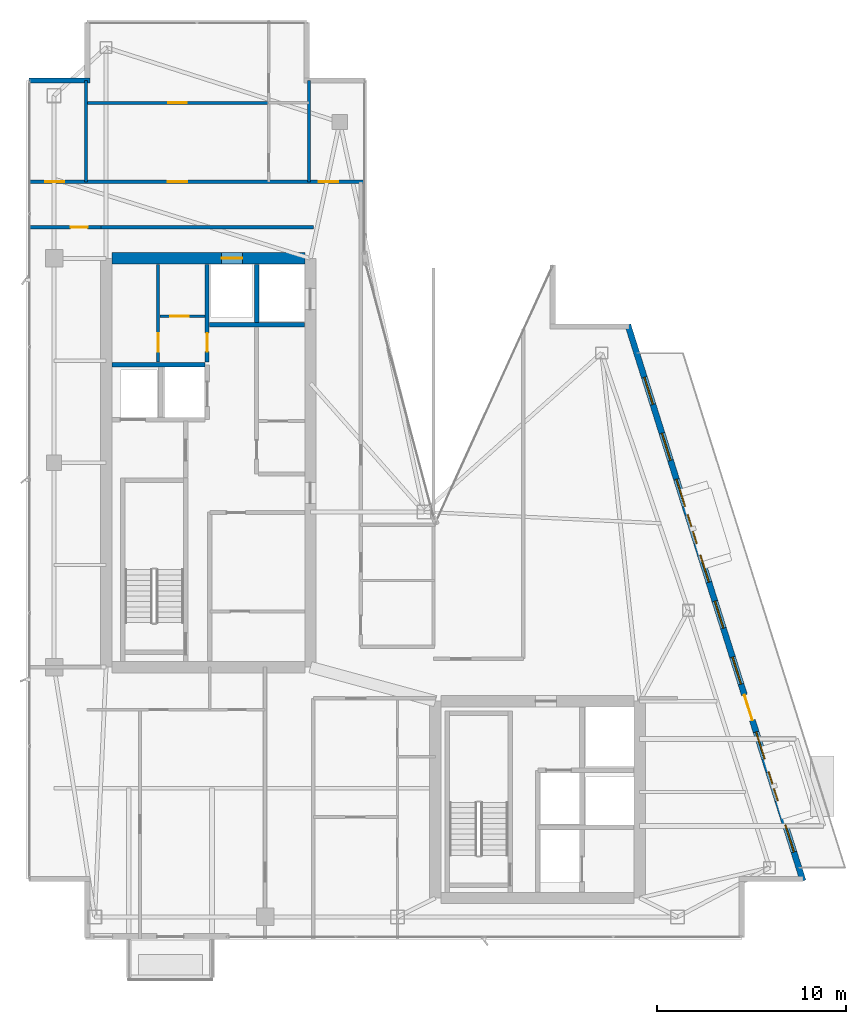
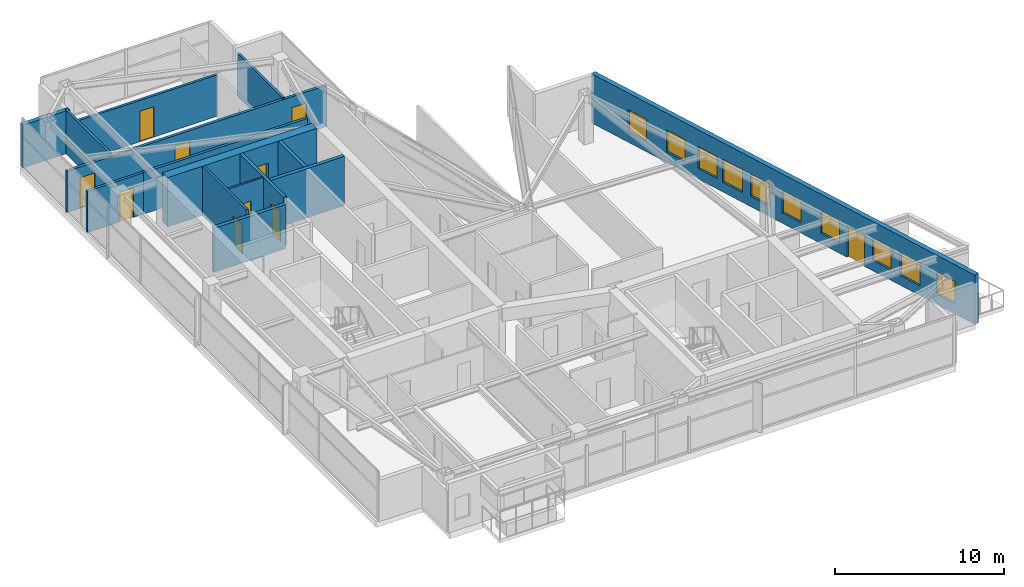
# One storey, part 24 of 27: 15 walls, 10 doors, 10 windows, 20 openings.
"""IFC4 building model written with IfcOpenShell, lengths in metres."""

from ifc_helpers import new_model, si_unit, direction, frame, frame_2d, origin, place, context, subcontext, project, spatial, rectangle, extrude, material, layer, layer_set, type_object, element, fill, save


model = new_model("IFC4")

# Units and contexts
model_context = context("Model", 3, precision=1e-05, world=origin(), true_north=direction((0.0, 1.0)))
body_context = subcontext(model_context, "Body", "Model", "MODEL_VIEW")
ifc_project = project(units=[si_unit("LENGTHUNIT", "METRE"), si_unit("AREAUNIT", "SQUARE_METRE"), si_unit("VOLUMEUNIT", "CUBIC_METRE"), si_unit("PLANEANGLEUNIT", "RADIAN"), si_unit("MASSUNIT", "GRAM", prefix="KILO")], contexts=[model_context])

# Site, building, storey
site_placement = place(None, origin())
site = spatial("IfcSite", under=ifc_project, at=site_placement, CompositionType="ELEMENT")
building_placement = place(site_placement, origin())
building = spatial("IfcBuilding", under=site, at=building_placement, Name="Calvorn Quay Hotel", CompositionType="ELEMENT")
storey_placement = place(building_placement, frame((0.0, 0.0, 287.300048828125)))
storey = spatial("IfcBuildingStorey", under=building, at=storey_placement, Name="L71", CompositionType="ELEMENT", Elevation=287.300048828125)

# Wall, opening, door
ifc_material_1 = material(Name="Concrete C45", Category="concrete")
ifc_layer_1 = layer(ifc_material_1, 0.60009765625)
ifc_layer_set_1 = layer_set([ifc_layer_1], Name="WL-CORE-600")
wall_type_1 = type_object("IfcWallType", Name="WL-CORE-600", PredefinedType="SHEAR", material=ifc_layer_set_1)
wall_1_placement = place(storey_placement, frame((4.5, 38.39990234375, 0.0), z_axis=(0.0, 0.0, 1.0), x_axis=(1.0, 0.0, 0.0)))
wall_1 = element("IfcWall", 1, at=wall_1_placement, inside=storey, type_object=wall_type_1, Name="West Core Shear Wall N (L71)", PredefinedType="SHEAR", context=body_context, shape_type="SweptSolid", body=[
    extrude(rectangle(XDim=10.199951171875, YDim=0.60009765625, at=frame_2d((5.10009765625, 0.0))), origin(), (0.0, 0.0, 1.0), 3.56005859375),
])
opening_1_placement = place(wall_1_placement, frame((5.800048828125, 0.0, 0.0)))
opening_1 = element("IfcOpeningElement", 2, at=opening_1_placement, cuts=wall_1, Name="Opening LD-L71-H2", PredefinedType="OPENING", context=body_context, shape_type="SweptSolid", body=[
    extrude(rectangle(XDim=1.10009765625, YDim=2.199951171875, at=frame_2d((0.550048828125, 1.10009765625))), frame((0.0, 0.31005859375, 0.0), z_axis=(0.0, -1.0, 0.0), x_axis=(1.0, 0.0, 0.0)), (0.0, 0.0, 1.0), 0.6201171875),
])
ifc_material_2 = material(Name="Brushed Stainless Steel Sliding Lift Landing Door", Category="steel")
door_type_1 = type_object("IfcDoorType", Name="DR-LIFT-PASS-1100", OperationType="NOTDEFINED", PredefinedType="DOOR", material=ifc_material_2)
door_1_placement = place(opening_1_placement, origin())
door_1 = element("IfcDoor", 3, at=door_1_placement, inside=storey, type_object=door_type_1, Name="High-Rise Lift PL-H2 Landing Door (L71)", OperationType="DOUBLE_DOOR_SLIDING", OverallHeight=2.199951171875, OverallWidth=1.10009765625, PredefinedType="DOOR", context=body_context, shape_type="SweptSolid", body=[
    extrude(rectangle(XDim=1.10009765625, YDim=2.199951171875, at=frame_2d((0.550048828125, 1.10009765625))), frame((0.0, 0.02490234375, 0.0), z_axis=(0.0, -1.0, 0.0), x_axis=(1.0, 0.0, 0.0)), (0.0, 0.0, 1.0), 0.050048828125),
])
fill(opening_1, door_1)

ifc_material_3 = material(Name="Acoustic Fireboard Steel-Stud Partition", Category="steel")
ifc_layer_2 = layer(ifc_material_3, 0.179931640625)
ifc_layer_set_2 = layer_set([ifc_layer_2], Name="WL-CORR-FIRE-180")
wall_type_2 = type_object("IfcWallType", Name="WL-CORR-FIRE-180", PredefinedType="PARTITIONING", material=ifc_layer_set_2)
wall_2_placement = place(storey_placement, frame((0.080078125, 40.050048828125, 0.0), z_axis=(0.0, 0.0, 1.0), x_axis=(1.0, 0.0, 0.0)))
wall_2 = element("IfcWall", 4, at=wall_2_placement, inside=storey, type_object=wall_type_2, Name="Partition Wall L71-WL-WBAY-N-DOOR", PredefinedType="PARTITIONING", context=body_context, shape_type="SweptSolid", body=[
    extrude(rectangle(XDim=3.849853515625, YDim=0.179931640625, at=frame_2d((1.9248046875, 0.0))), origin(), (0.0, 0.0, 1.0), 2.989990234375),
])
opening_2_placement = place(wall_2_placement, frame((2.25, 0.0, 0.0)))
opening_2 = element("IfcOpeningElement", 5, at=opening_2_placement, cuts=wall_2, Name="Opening D-L71-WBN", PredefinedType="OPENING", context=body_context, shape_type="SweptSolid", body=[
    extrude(rectangle(XDim=0.89990234375, YDim=2.14990234375, at=frame_2d((0.449951171875, 1.074951171875))), frame((0.0, 0.099853515625, 0.0), z_axis=(0.0, -1.0, 0.0), x_axis=(1.0, 0.0, 0.0)), (0.0, 0.0, 1.0), 0.199951171875),
])
ifc_material_4 = material(Name="Moisture-Sealed Timber En-Suite Door", Category="wood")
door_type_2 = type_object("IfcDoorType", Name="DR-ENSUITE-900", OperationType="NOTDEFINED", PredefinedType="DOOR", material=ifc_material_4)
door_2_placement = place(opening_2_placement, origin())
door_2 = element("IfcDoor", 6, at=door_2_placement, inside=storey, type_object=door_type_2, Name="West North Bay Door (L71)", OperationType="SINGLE_SWING_LEFT", OverallHeight=2.14990234375, OverallWidth=0.89990234375, PredefinedType="DOOR", context=body_context, shape_type="SweptSolid", body=[
    extrude(rectangle(XDim=0.89990234375, YDim=2.14990234375, at=frame_2d((0.449951171875, 1.074951171875))), frame((0.0, 0.02490234375, 0.0), z_axis=(0.0, -1.0, 0.0), x_axis=(1.0, 0.0, 0.0)), (0.0, 0.0, 1.0), 0.050048828125),
])
fill(opening_2, door_2)

# Wall, openings, doors
wall_3_placement = place(storey_placement, frame((0.080078125, 42.449951171875, 0.0), z_axis=(0.0, 0.0, 1.0), x_axis=(1.0, 0.0, 0.0)))
wall_3 = element("IfcWall", 7, at=wall_3_placement, inside=storey, type_object=wall_type_2, Name="Partition Wall L71-WL-CORR-NW-N", PredefinedType="PARTITIONING", context=body_context, shape_type="SweptSolid", body=[
    extrude(rectangle(XDim=17.77001953125, YDim=0.179931640625, at=frame_2d((8.885009765625, 0.0))), origin(), (0.0, 0.0, 1.0), 2.989990234375),
])
opening_3_placement = place(wall_3_placement, frame((0.89990234375, 0.0, 0.0)))
opening_3 = element("IfcOpeningElement", 8, at=opening_3_placement, cuts=wall_3, Name="Opening D-L71-NWW", PredefinedType="OPENING", context=body_context, shape_type="SweptSolid", body=[
    extrude(rectangle(XDim=1.02001953125, YDim=2.199951171875, at=frame_2d((0.510009765625, 1.10009765625))), frame((0.0, 0.099853515625, 0.0), z_axis=(0.0, -1.0, 0.0), x_axis=(1.0, 0.0, 0.0)), (0.0, 0.0, 1.0), 0.199951171875),
])
opening_4_placement = place(wall_3_placement, frame((7.3798828125, 0.0, 0.0)))
opening_4 = element("IfcOpeningElement", 9, at=opening_4_placement, cuts=wall_3, Name="Opening D-L71-U03", PredefinedType="OPENING", context=body_context, shape_type="SweptSolid", body=[
    extrude(rectangle(XDim=1.02001953125, YDim=2.199951171875, at=frame_2d((0.510009765625, 1.10009765625))), frame((0.0, 0.099853515625, 0.0), z_axis=(0.0, -1.0, 0.0), x_axis=(1.0, 0.0, 0.0)), (0.0, 0.0, 1.0), 0.199951171875),
])
opening_5_placement = place(wall_3_placement, frame((15.3701171875, 0.0, 0.0)))
opening_5 = element("IfcOpeningElement", 10, at=opening_5_placement, cuts=wall_3, Name="Opening D-L71-NWE", PredefinedType="OPENING", context=body_context, shape_type="SweptSolid", body=[
    extrude(rectangle(XDim=1.02001953125, YDim=2.199951171875, at=frame_2d((0.510009765625, 1.10009765625))), frame((0.0, 0.099853515625, 0.0), z_axis=(0.0, -1.0, 0.0), x_axis=(1.0, 0.0, 0.0)), (0.0, 0.0, 1.0), 0.199951171875),
])
ifc_material_5 = material(Name="Solid-Core Walnut Veneer Hotel Fire Door")
door_type_3 = type_object("IfcDoorType", Name="DR-GUEST-ENTRY-1020", OperationType="NOTDEFINED", PredefinedType="DOOR", material=ifc_material_5)
door_3_placement = place(opening_3_placement, origin())
door_3 = element("IfcDoor", 11, at=door_3_placement, inside=storey, type_object=door_type_3, Name="West Corner Study Door (L71)", OperationType="SINGLE_SWING_LEFT", OverallHeight=2.199951171875, OverallWidth=1.02001953125, PredefinedType="DOOR", context=body_context, shape_type="SweptSolid", body=[
    extrude(rectangle(XDim=1.02001953125, YDim=2.199951171875, at=frame_2d((0.510009765625, 1.10009765625))), frame((0.0, 0.02490234375, 0.0), z_axis=(0.0, -1.0, 0.0), x_axis=(1.0, 0.0, 0.0)), (0.0, 0.0, 1.0), 0.050048828125),
])
fill(opening_3, door_3)
door_4_placement = place(opening_4_placement, origin())
door_4 = element("IfcDoor", 12, at=door_4_placement, inside=storey, type_object=door_type_3, Name="North-West Unit Door U03 (L71)", OperationType="SINGLE_SWING_RIGHT", OverallHeight=2.199951171875, OverallWidth=1.02001953125, PredefinedType="DOOR", context=body_context, shape_type="SweptSolid", body=[
    extrude(rectangle(XDim=1.02001953125, YDim=2.199951171875, at=frame_2d((0.510009765625, 1.10009765625))), frame((0.0, 0.02490234375, 0.0), z_axis=(0.0, -1.0, 0.0), x_axis=(1.0, 0.0, 0.0)), (0.0, 0.0, 1.0), 0.050048828125),
])
fill(opening_4, door_4)
door_5_placement = place(opening_5_placement, origin())
door_5 = element("IfcDoor", 13, at=door_5_placement, inside=storey, type_object=door_type_3, Name="Inner Court Study Door (L71)", OperationType="SINGLE_SWING_RIGHT", OverallHeight=2.199951171875, OverallWidth=1.02001953125, PredefinedType="DOOR", context=body_context, shape_type="SweptSolid", body=[
    extrude(rectangle(XDim=1.02001953125, YDim=2.199951171875, at=frame_2d((0.510009765625, 1.10009765625))), frame((0.0, 0.02490234375, 0.0), z_axis=(0.0, -1.0, 0.0), x_axis=(1.0, 0.0, 0.0)), (0.0, 0.0, 1.0), 0.050048828125),
])
fill(opening_5, door_5)

# Wall
wall_4_placement = place(storey_placement, frame((3.8798828125, 40.050048828125, 0.0), z_axis=(0.0, 0.0, 1.0), x_axis=(1.0, 0.0, 0.0)))
element("IfcWall", 14, at=wall_4_placement, inside=storey, type_object=wall_type_2, Name="Partition Wall L71-WL-W-SPUR-S", PredefinedType="PARTITIONING", context=body_context, shape_type="SweptSolid", body=[
    extrude(rectangle(XDim=11.27001953125, YDim=0.179931640625, at=frame_2d((5.635009765625, 0.0))), origin(), (0.0, 0.0, 1.0), 2.989990234375),
])

# Wall, opening, door
ifc_material_6 = material(Name="Moisture-Resistant Tile-Backed Partition")
ifc_layer_3 = layer(ifc_material_6, 0.125)
ifc_layer_set_3 = layer_set([ifc_layer_3], Name="WL-ENSUITE-125")
wall_type_3 = type_object("IfcWallType", Name="WL-ENSUITE-125", PredefinedType="PARTITIONING", material=ifc_layer_set_3)
wall_5_placement = place(storey_placement, frame((7.050048828125, 35.35009765625, 0.0), z_axis=(0.0, 0.0, 1.0), x_axis=(1.0, 0.0, 0.0)))
wall_5 = element("IfcWall", 15, at=wall_5_placement, inside=storey, type_object=wall_type_3, Name="Partition Wall L71-WL-CWW-K-H", PredefinedType="PARTITIONING", context=body_context, shape_type="SweptSolid", body=[
    extrude(rectangle(XDim=2.369873046875, YDim=0.125, at=frame_2d((1.18505859375, 0.0))), origin(), (0.0, 0.0, 1.0), 3.56005859375),
])
opening_6_placement = place(wall_5_placement, frame((0.550048828125, 0.0, 0.0)))
opening_6 = element("IfcOpeningElement", 16, at=opening_6_placement, cuts=wall_5, Name="Opening D-L71-CK3", PredefinedType="OPENING", context=body_context, shape_type="SweptSolid", body=[
    extrude(rectangle(XDim=0.97998046875, YDim=2.14990234375, at=frame_2d((0.489990234375, 1.074951171875))), frame((0.0, 0.072509765625, 0.0), z_axis=(0.0, -1.0, 0.0), x_axis=(1.0, 0.0, 0.0)), (0.0, 0.0, 1.0), 0.14501953125),
])
ifc_material_7 = material(Name="Painted Steel Housekeeping/Riser Fire Door", Category="steel")
door_type_4 = type_object("IfcDoorType", Name="DR-SERVICE-980", OperationType="NOTDEFINED", PredefinedType="DOOR", material=ifc_material_7)
door_6_placement = place(opening_6_placement, origin())
door_6 = element("IfcDoor", 17, at=door_6_placement, inside=storey, type_object=door_type_4, Name="Telecom Closet Door (L71)", OperationType="SINGLE_SWING_RIGHT", OverallHeight=2.14990234375, OverallWidth=0.97998046875, PredefinedType="DOOR", context=body_context, shape_type="SweptSolid", body=[
    extrude(rectangle(XDim=0.97998046875, YDim=2.14990234375, at=frame_2d((0.489990234375, 1.074951171875))), frame((0.0, 0.02490234375, 0.0), z_axis=(0.0, -1.0, 0.0), x_axis=(1.0, 0.0, 0.0)), (0.0, 0.0, 1.0), 0.050048828125),
])
fill(opening_6, door_6)

# Wall
ifc_material_8 = material(Name="Concrete C40", Category="concrete")
ifc_layer_4 = layer(ifc_material_8, 0.320068359375)
ifc_layer_set_4 = layer_set([ifc_layer_4], Name="WL-EXT-SPANDREL-320")
wall_type_4 = type_object("IfcWallType", Name="WL-EXT-SPANDREL-320", PredefinedType="SOLIDWALL", material=ifc_layer_set_4)
wall_6_placement = place(storey_placement, frame((3.340087890625, 47.800048828125, 0.0), z_axis=(0.0, 0.0, 1.0), x_axis=(-1.0, 0.0, 0.0)))
element("IfcWall", 18, at=wall_6_placement, inside=storey, type_object=wall_type_4, Name="Notched Corner Spandrel L71-NW2", PredefinedType="SOLIDWALL", context=body_context, shape_type="SweptSolid", body=[
    extrude(rectangle(XDim=3.219970703125, YDim=0.280029296875, at=frame_2d((1.60986328125, 0.0))), origin(), (0.0, 0.0, 1.0), 3.08984375),
])

# Wall, openings, door, windows
wall_7_placement = place(storey_placement, frame((41.030029296875, 5.5048828125, 0.0), z_axis=(0.0, 0.0, 1.0), x_axis=(-0.300509063924, 0.953778958931, 0.0)))
wall_7 = element("IfcWall", 19, at=wall_7_placement, inside=storey, type_object=wall_type_4, Name="East Stepped Waterfront Exterior Wall (L71)", PredefinedType="SOLIDWALL", context=body_context, shape_type="SweptSolid", body=[
    extrude(rectangle(XDim=30.814453125, YDim=0.320068359375, at=frame_2d((15.4072265625, 0.0))), origin(), (0.0, 0.0, 1.0), 3.56005859375),
])
opening_7_placement = place(wall_7_placement, frame((8.89990234375, 0.0, 0.0)))
opening_7 = element("IfcOpeningElement", 20, at=opening_7_placement, cuts=wall_7, Name="Opening DTR-L71", PredefinedType="OPENING", context=body_context, shape_type="SweptSolid", body=[
    extrude(rectangle(XDim=1.39990234375, YDim=2.25, at=frame_2d((0.699951171875, 1.125))), frame((0.0, 0.169921875, 0.0), z_axis=(0.0, -1.0, 0.0), x_axis=(1.0, 0.0, 0.0)), (0.0, 0.0, 1.0), 0.340087890625),
])
opening_8_placement = place(wall_7_placement, frame((4.43701171875, 0.0, 0.699951171875)))
opening_8 = element("IfcOpeningElement", 21, at=opening_8_placement, cuts=wall_7, Name="Opening WHD-L71-1", PredefinedType="OPENING", context=body_context, shape_type="SweptSolid", body=[
    extrude(rectangle(XDim=1.60009765625, YDim=1.64990234375, at=frame_2d((0.800048828125, 0.824951171875))), frame((0.0, 0.169921875, 0.0), z_axis=(0.0, -1.0, 0.0), x_axis=(1.0, 0.0, 0.0)), (0.0, 0.0, 1.0), 0.340087890625),
])
opening_9_placement = place(wall_7_placement, frame((18.696044921875, 0.0, 0.699951171875)))
opening_9 = element("IfcOpeningElement", 22, at=opening_9_placement, cuts=wall_7, Name="Opening WHD-L71-2", PredefinedType="OPENING", context=body_context, shape_type="SweptSolid", body=[
    extrude(rectangle(XDim=1.60009765625, YDim=1.64990234375, at=frame_2d((0.800048828125, 0.824951171875))), frame((0.0, 0.169921875, 0.0), z_axis=(0.0, -1.0, 0.0), x_axis=(1.0, 0.0, 0.0)), (0.0, 0.0, 1.0), 0.340087890625),
])
opening_10_placement = place(wall_7_placement, frame((1.60009765625, 0.0, 0.75)))
opening_10 = element("IfcOpeningElement", 23, at=opening_10_placement, cuts=wall_7, Name="Opening WG-L71-E1", PredefinedType="OPENING", context=body_context, shape_type="SweptSolid", body=[
    extrude(rectangle(XDim=1.5, YDim=1.60009765625, at=frame_2d((0.75, 0.800048828125))), frame((0.0, 0.169921875, 0.0), z_axis=(0.0, -1.0, 0.0), x_axis=(1.0, 0.0, 0.0)), (0.0, 0.0, 1.0), 0.340087890625),
])
opening_11_placement = place(wall_7_placement, frame((6.75, 0.0, 0.75)))
opening_11 = element("IfcOpeningElement", 24, at=opening_11_placement, cuts=wall_7, Name="Opening WG-L71-E2", PredefinedType="OPENING", context=body_context, shape_type="SweptSolid", body=[
    extrude(rectangle(XDim=1.5, YDim=1.60009765625, at=frame_2d((0.75, 0.800048828125))), frame((0.0, 0.169921875, 0.0), z_axis=(0.0, -1.0, 0.0), x_axis=(1.0, 0.0, 0.0)), (0.0, 0.0, 1.0), 0.340087890625),
])
opening_12_placement = place(wall_7_placement, frame((10.89990234375, 0.0, 0.75)))
opening_12 = element("IfcOpeningElement", 25, at=opening_12_placement, cuts=wall_7, Name="Opening WG-L71-E3", PredefinedType="OPENING", context=body_context, shape_type="SweptSolid", body=[
    extrude(rectangle(XDim=1.5, YDim=1.60009765625, at=frame_2d((0.75, 0.800048828125))), frame((0.0, 0.169921875, 0.0), z_axis=(0.0, -1.0, 0.0), x_axis=(1.0, 0.0, 0.0)), (0.0, 0.0, 1.0), 0.340087890625),
])
opening_13_placement = place(wall_7_placement, frame((14.0, 0.0, 0.75)))
opening_13 = element("IfcOpeningElement", 26, at=opening_13_placement, cuts=wall_7, Name="Opening WG-L71-E4", PredefinedType="OPENING", context=body_context, shape_type="SweptSolid", body=[
    extrude(rectangle(XDim=1.5, YDim=1.60009765625, at=frame_2d((0.75, 0.800048828125))), frame((0.0, 0.169921875, 0.0), z_axis=(0.0, -1.0, 0.0), x_axis=(1.0, 0.0, 0.0)), (0.0, 0.0, 1.0), 0.340087890625),
])
opening_14_placement = place(wall_7_placement, frame((16.550048828125, 0.0, 0.75)))
opening_14 = element("IfcOpeningElement", 27, at=opening_14_placement, cuts=wall_7, Name="Opening WG-L71-E5", PredefinedType="OPENING", context=body_context, shape_type="SweptSolid", body=[
    extrude(rectangle(XDim=1.5, YDim=1.60009765625, at=frame_2d((0.75, 0.800048828125))), frame((0.0, 0.169921875, 0.0), z_axis=(0.0, -1.0, 0.0), x_axis=(1.0, 0.0, 0.0)), (0.0, 0.0, 1.0), 0.340087890625),
])
opening_15_placement = place(wall_7_placement, frame((20.75, 0.0, 0.75)))
opening_15 = element("IfcOpeningElement", 28, at=opening_15_placement, cuts=wall_7, Name="Opening WG-L71-E6", PredefinedType="OPENING", context=body_context, shape_type="SweptSolid", body=[
    extrude(rectangle(XDim=1.5, YDim=1.60009765625, at=frame_2d((0.75, 0.800048828125))), frame((0.0, 0.169921875, 0.0), z_axis=(0.0, -1.0, 0.0), x_axis=(1.0, 0.0, 0.0)), (0.0, 0.0, 1.0), 0.340087890625),
])
opening_16_placement = place(wall_7_placement, frame((23.300048828125, 0.0, 0.75)))
opening_16 = element("IfcOpeningElement", 29, at=opening_16_placement, cuts=wall_7, Name="Opening WG-L71-E7", PredefinedType="OPENING", context=body_context, shape_type="SweptSolid", body=[
    extrude(rectangle(XDim=1.5, YDim=1.60009765625, at=frame_2d((0.75, 0.800048828125))), frame((0.0, 0.169921875, 0.0), z_axis=(0.0, -1.0, 0.0), x_axis=(1.0, 0.0, 0.0)), (0.0, 0.0, 1.0), 0.340087890625),
])
opening_17_placement = place(wall_7_placement, frame((26.39990234375, 0.0, 0.75)))
opening_17 = element("IfcOpeningElement", 30, at=opening_17_placement, cuts=wall_7, Name="Opening WG-L71-E8", PredefinedType="OPENING", context=body_context, shape_type="SweptSolid", body=[
    extrude(rectangle(XDim=1.5, YDim=1.60009765625, at=frame_2d((0.75, 0.800048828125))), frame((0.0, 0.169921875, 0.0), z_axis=(0.0, -1.0, 0.0), x_axis=(1.0, 0.0, 0.0)), (0.0, 0.0, 1.0), 0.340087890625),
])
ifc_material_9 = material(Name="Typhoon-Rated Low-E Aluminium Terrace Door", Category="aluminium")
door_type_5 = type_object("IfcDoorType", Name="DR-BALCONY-GLZ-1400", OperationType="NOTDEFINED", PredefinedType="DOOR", material=ifc_material_9)
door_7_placement = place(opening_7_placement, origin())
door_7 = element("IfcDoor", 31, at=door_7_placement, inside=storey, type_object=door_type_5, Name="Sawtooth Setback Terrace Door (L71)", OperationType="SINGLE_SWING_RIGHT", OverallHeight=2.25, OverallWidth=1.39990234375, PredefinedType="DOOR", context=body_context, shape_type="SweptSolid", body=[
    extrude(rectangle(XDim=1.39990234375, YDim=2.25, at=frame_2d((0.699951171875, 1.125))), frame((0.0, 0.02490234375, 0.0), z_axis=(0.0, -1.0, 0.0), x_axis=(1.0, 0.0, 0.0)), (0.0, 0.0, 1.0), 0.050048828125),
])
fill(opening_7, door_7)
ifc_material_10 = material(Name="Champagne-Bronze Aluminium Low-E Window", Category="aluminium")
window_type_1 = type_object("IfcWindowType", Name="WIN-GUEST-SIDE-1600x2100", PartitioningType="SINGLE_PANEL", PredefinedType="WINDOW", material=ifc_material_10)
window_1_placement = place(opening_8_placement, origin())
window_1 = element("IfcWindow", 32, at=window_1_placement, inside=storey, type_object=window_type_1, Name="Bay Hood Window L71-HOOD-1", OverallHeight=1.64990234375, OverallWidth=1.60009765625, PartitioningType="SINGLE_PANEL", PredefinedType="WINDOW", context=body_context, shape_type="SweptSolid", body=[
    extrude(rectangle(XDim=1.60009765625, YDim=1.64990234375, at=frame_2d((0.800048828125, 0.824951171875))), frame((0.0, 0.030029296875, 0.0), z_axis=(0.0, -1.0, 0.0), x_axis=(1.0, 0.0, 0.0)), (0.0, 0.0, 1.0), 0.06005859375),
])
fill(opening_8, window_1)
window_2_placement = place(opening_9_placement, origin())
window_2 = element("IfcWindow", 33, at=window_2_placement, inside=storey, type_object=window_type_1, Name="Bay Hood Window L71-HOOD-3", OverallHeight=1.64990234375, OverallWidth=1.60009765625, PartitioningType="SINGLE_PANEL", PredefinedType="WINDOW", context=body_context, shape_type="SweptSolid", body=[
    extrude(rectangle(XDim=1.60009765625, YDim=1.64990234375, at=frame_2d((0.800048828125, 0.824951171875))), frame((0.0, 0.030029296875, 0.0), z_axis=(0.0, -1.0, 0.0), x_axis=(1.0, 0.0, 0.0)), (0.0, 0.0, 1.0), 0.06005859375),
])
fill(opening_9, window_2)
ifc_material_11 = material(Name="Self-Closing Class B Fire Window")
window_type_2 = type_object("IfcWindowType", Name="WIN-REFUGE-1500x1600", PartitioningType="SINGLE_PANEL", PredefinedType="WINDOW", material=ifc_material_11)
window_3_placement = place(opening_10_placement, origin())
window_3 = element("IfcWindow", 34, at=window_3_placement, inside=storey, type_object=window_type_2, Name="East Facade Window L71-E1", OverallHeight=1.60009765625, OverallWidth=1.5, PartitioningType="SINGLE_PANEL", PredefinedType="WINDOW", context=body_context, shape_type="SweptSolid", body=[
    extrude(rectangle(XDim=1.5, YDim=1.60009765625, at=frame_2d((0.75, 0.800048828125))), frame((0.0, 0.030029296875, 0.0), z_axis=(0.0, -1.0, 0.0), x_axis=(1.0, 0.0, 0.0)), (0.0, 0.0, 1.0), 0.06005859375),
])
fill(opening_10, window_3)
window_4_placement = place(opening_11_placement, origin())
window_4 = element("IfcWindow", 35, at=window_4_placement, inside=storey, type_object=window_type_2, Name="East Facade Window L71-E2", OverallHeight=1.60009765625, OverallWidth=1.5, PartitioningType="SINGLE_PANEL", PredefinedType="WINDOW", context=body_context, shape_type="SweptSolid", body=[
    extrude(rectangle(XDim=1.5, YDim=1.60009765625, at=frame_2d((0.75, 0.800048828125))), frame((0.0, 0.030029296875, 0.0), z_axis=(0.0, -1.0, 0.0), x_axis=(1.0, 0.0, 0.0)), (0.0, 0.0, 1.0), 0.06005859375),
])
fill(opening_11, window_4)
window_5_placement = place(opening_12_placement, origin())
window_5 = element("IfcWindow", 36, at=window_5_placement, inside=storey, type_object=window_type_2, Name="East Facade Window L71-E3", OverallHeight=1.60009765625, OverallWidth=1.5, PartitioningType="SINGLE_PANEL", PredefinedType="WINDOW", context=body_context, shape_type="SweptSolid", body=[
    extrude(rectangle(XDim=1.5, YDim=1.60009765625, at=frame_2d((0.75, 0.800048828125))), frame((0.0, 0.030029296875, 0.0), z_axis=(0.0, -1.0, 0.0), x_axis=(1.0, 0.0, 0.0)), (0.0, 0.0, 1.0), 0.06005859375),
])
fill(opening_12, window_5)
window_6_placement = place(opening_13_placement, origin())
window_6 = element("IfcWindow", 37, at=window_6_placement, inside=storey, type_object=window_type_2, Name="East Facade Window L71-E4", OverallHeight=1.60009765625, OverallWidth=1.5, PartitioningType="SINGLE_PANEL", PredefinedType="WINDOW", context=body_context, shape_type="SweptSolid", body=[
    extrude(rectangle(XDim=1.5, YDim=1.60009765625, at=frame_2d((0.75, 0.800048828125))), frame((0.0, 0.030029296875, 0.0), z_axis=(0.0, -1.0, 0.0), x_axis=(1.0, 0.0, 0.0)), (0.0, 0.0, 1.0), 0.06005859375),
])
fill(opening_13, window_6)
window_7_placement = place(opening_14_placement, origin())
window_7 = element("IfcWindow", 38, at=window_7_placement, inside=storey, type_object=window_type_2, Name="East Facade Window L71-E5", OverallHeight=1.60009765625, OverallWidth=1.5, PartitioningType="SINGLE_PANEL", PredefinedType="WINDOW", context=body_context, shape_type="SweptSolid", body=[
    extrude(rectangle(XDim=1.5, YDim=1.60009765625, at=frame_2d((0.75, 0.800048828125))), frame((0.0, 0.030029296875, 0.0), z_axis=(0.0, -1.0, 0.0), x_axis=(1.0, 0.0, 0.0)), (0.0, 0.0, 1.0), 0.06005859375),
])
fill(opening_14, window_7)
window_8_placement = place(opening_15_placement, origin())
window_8 = element("IfcWindow", 39, at=window_8_placement, inside=storey, type_object=window_type_2, Name="East Facade Window L71-E6", OverallHeight=1.60009765625, OverallWidth=1.5, PartitioningType="SINGLE_PANEL", PredefinedType="WINDOW", context=body_context, shape_type="SweptSolid", body=[
    extrude(rectangle(XDim=1.5, YDim=1.60009765625, at=frame_2d((0.75, 0.800048828125))), frame((0.0, 0.030029296875, 0.0), z_axis=(0.0, -1.0, 0.0), x_axis=(1.0, 0.0, 0.0)), (0.0, 0.0, 1.0), 0.06005859375),
])
fill(opening_15, window_8)
window_9_placement = place(opening_16_placement, origin())
window_9 = element("IfcWindow", 40, at=window_9_placement, inside=storey, type_object=window_type_2, Name="East Facade Window L71-E7", OverallHeight=1.60009765625, OverallWidth=1.5, PartitioningType="SINGLE_PANEL", PredefinedType="WINDOW", context=body_context, shape_type="SweptSolid", body=[
    extrude(rectangle(XDim=1.5, YDim=1.60009765625, at=frame_2d((0.75, 0.800048828125))), frame((0.0, 0.030029296875, 0.0), z_axis=(0.0, -1.0, 0.0), x_axis=(1.0, 0.0, 0.0)), (0.0, 0.0, 1.0), 0.06005859375),
])
fill(opening_16, window_9)
window_10_placement = place(opening_17_placement, origin())
window_10 = element("IfcWindow", 41, at=window_10_placement, inside=storey, type_object=window_type_2, Name="East Facade Window L71-E8", OverallHeight=1.60009765625, OverallWidth=1.5, PartitioningType="SINGLE_PANEL", PredefinedType="WINDOW", context=body_context, shape_type="SweptSolid", body=[
    extrude(rectangle(XDim=1.5, YDim=1.60009765625, at=frame_2d((0.75, 0.800048828125))), frame((0.0, 0.030029296875, 0.0), z_axis=(0.0, -1.0, 0.0), x_axis=(1.0, 0.0, 0.0)), (0.0, 0.0, 1.0), 0.06005859375),
])
fill(opening_17, window_10)

# Wall, opening, door
ifc_material_12 = material(Name="Double-Stud Acoustic Gypsum Partition")
ifc_layer_5 = layer(ifc_material_12, 0.159912109375)
ifc_layer_set_5 = layer_set([ifc_layer_5], Name="WL-INTERSUITE-160")
wall_type_5 = type_object("IfcWallType", Name="WL-INTERSUITE-160", PredefinedType="PARTITIONING", material=ifc_layer_set_5)
wall_8_placement = place(storey_placement, frame((6.949951171875, 32.919921875, 0.0), z_axis=(0.0, 0.0, 1.0), x_axis=(0.0, 1.0, 0.0)))
wall_8 = element("IfcWall", 42, at=wall_8_placement, inside=storey, type_object=wall_type_5, Name="Partition Wall L71-WL-CWW-K-V", PredefinedType="PARTITIONING", context=body_context, shape_type="SweptSolid", body=[
    extrude(rectangle(XDim=5.16015625, YDim=0.159912109375, at=frame_2d((2.580078125, 0.0))), origin(), (0.0, 0.0, 1.0), 3.56005859375),
])
opening_18_placement = place(wall_8_placement, frame((0.550048828125, 0.0, 0.0)))
opening_18 = element("IfcOpeningElement", 43, at=opening_18_placement, cuts=wall_8, Name="Opening D-L71-CK1", PredefinedType="OPENING", context=body_context, shape_type="SweptSolid", body=[
    extrude(rectangle(XDim=0.97998046875, YDim=2.14990234375, at=frame_2d((0.489990234375, 1.074951171875))), frame((0.0, 0.08984375, 0.0), z_axis=(0.0, -1.0, 0.0), x_axis=(1.0, 0.0, 0.0)), (0.0, 0.0, 1.0), 0.179931640625),
])
door_8_placement = place(opening_18_placement, origin())
door_8 = element("IfcDoor", 44, at=door_8_placement, inside=storey, type_object=door_type_4, Name="Pipe Riser Door (L71)", OperationType="SINGLE_SWING_LEFT", OverallHeight=2.14990234375, OverallWidth=0.97998046875, PredefinedType="DOOR", context=body_context, shape_type="SweptSolid", body=[
    extrude(rectangle(XDim=0.97998046875, YDim=2.14990234375, at=frame_2d((0.489990234375, 1.074951171875))), frame((0.0, 0.02490234375, 0.0), z_axis=(0.0, -1.0, 0.0), x_axis=(1.0, 0.0, 0.0)), (0.0, 0.0, 1.0), 0.050048828125),
])
fill(opening_18, door_8)

# Walls
wall_9_placement = place(storey_placement, frame((3.14990234375, 42.449951171875, 0.0), z_axis=(0.0, 0.0, 1.0), x_axis=(0.0, 1.0, 0.0)))
element("IfcWall", 45, at=wall_9_placement, inside=storey, type_object=wall_type_5, Name="Partition Wall L71-WL-NW-DIV-W0", PredefinedType="PARTITIONING", context=body_context, shape_type="SweptSolid", body=[
    extrude(rectangle(XDim=5.35009765625, YDim=0.159912109375, at=frame_2d((2.675048828125, 0.0))), origin(), (0.0, 0.0, 1.0), 3.139892578125),
])
wall_10_placement = place(storey_placement, frame((14.919921875, 42.449951171875, 0.0), z_axis=(0.0, 0.0, 1.0), x_axis=(0.0, 1.0, 0.0)))
element("IfcWall", 46, at=wall_10_placement, inside=storey, type_object=wall_type_5, Name="Partition Wall L71-WL-NW-DIV-E0", PredefinedType="PARTITIONING", context=body_context, shape_type="SweptSolid", body=[
    extrude(rectangle(XDim=5.35009765625, YDim=0.159912109375, at=frame_2d((2.675048828125, 0.0))), origin(), (0.0, 0.0, 1.0), 3.08984375),
])

# Wall, opening, door
wall_11_placement = place(storey_placement, frame((3.14990234375, 46.6201171875, 0.0), z_axis=(0.0, 0.0, 1.0), x_axis=(1.0, 0.0, 0.0)))
wall_11 = element("IfcWall", 47, at=wall_11_placement, inside=storey, type_object=wall_type_5, Name="Partition Wall L71-WL-U03-MSP", PredefinedType="PARTITIONING", context=body_context, shape_type="SweptSolid", body=[
    extrude(rectangle(XDim=9.64013671875, YDim=0.159912109375, at=frame_2d((4.820068359375, 0.0))), origin(), (0.0, 0.0, 1.0), 2.989990234375),
])
opening_19_placement = place(wall_11_placement, frame((4.340087890625, 0.0, 0.0)))
opening_19 = element("IfcOpeningElement", 48, at=opening_19_placement, cuts=wall_11, Name="Opening D-L71-M03", PredefinedType="OPENING", context=body_context, shape_type="SweptSolid", body=[
    extrude(rectangle(XDim=0.9599609375, YDim=2.199951171875, at=frame_2d((0.47998046875, 1.10009765625))), frame((0.0, 0.08984375, 0.0), z_axis=(0.0, -1.0, 0.0), x_axis=(1.0, 0.0, 0.0)), (0.0, 0.0, 1.0), 0.179931640625),
])
ifc_material_13 = material(Name="Solid Timber Internal Suite Door", Category="wood")
door_type_6 = type_object("IfcDoorType", Name="DR-SUITE-INT-960", OperationType="NOTDEFINED", PredefinedType="DOOR", material=ifc_material_13)
door_9_placement = place(opening_19_placement, origin())
door_9 = element("IfcDoor", 49, at=door_9_placement, inside=storey, type_object=door_type_6, Name="Suite Bedroom Door 03", OperationType="SINGLE_SWING_LEFT", OverallHeight=2.199951171875, OverallWidth=0.9599609375, PredefinedType="DOOR", context=body_context, shape_type="SweptSolid", body=[
    extrude(rectangle(XDim=0.9599609375, YDim=2.199951171875, at=frame_2d((0.47998046875, 1.10009765625))), frame((0.0, 0.02490234375, 0.0), z_axis=(0.0, -1.0, 0.0), x_axis=(1.0, 0.0, 0.0)), (0.0, 0.0, 1.0), 0.050048828125),
])
fill(opening_19, door_9)

ifc_material_14 = material(Name="Autoclaved Aerated Masonry Block", Category="masonry")
ifc_layer_6 = layer(ifc_material_14, 0.219970703125)
ifc_layer_set_6 = layer_set([ifc_layer_6], Name="WL-LOBBY-FIRE-220")
wall_type_6 = type_object("IfcWallType", Name="WL-LOBBY-FIRE-220", PredefinedType="SOLIDWALL", material=ifc_layer_set_6)
wall_12_placement = place(storey_placement, frame((9.5400390625, 32.919921875, 0.0), z_axis=(0.0, 0.0, 1.0), x_axis=(0.0, 1.0, 0.0)))
wall_12 = element("IfcWall", 50, at=wall_12_placement, inside=storey, type_object=wall_type_6, Name="Partition Wall L71-WL-CWW-K-E", PredefinedType="SOLIDWALL", context=body_context, shape_type="SweptSolid", body=[
    extrude(rectangle(XDim=5.16015625, YDim=0.219970703125, at=frame_2d((2.580078125, 0.0))), origin(), (0.0, 0.0, 1.0), 3.56005859375),
])
opening_20_placement = place(wall_12_placement, frame((0.550048828125, 0.0, 0.0)))
opening_20 = element("IfcOpeningElement", 51, at=opening_20_placement, cuts=wall_12, Name="Opening D-L71-CK2", PredefinedType="OPENING", context=body_context, shape_type="SweptSolid", body=[
    extrude(rectangle(XDim=0.97998046875, YDim=2.14990234375, at=frame_2d((0.489990234375, 1.074951171875))), frame((0.0, 0.119873046875, 0.0), z_axis=(0.0, -1.0, 0.0), x_axis=(1.0, 0.0, 0.0)), (0.0, 0.0, 1.0), 0.239990234375),
])
door_10_placement = place(opening_20_placement, origin())
door_10 = element("IfcDoor", 52, at=door_10_placement, inside=storey, type_object=door_type_4, Name="Valet Closet Door (L71)", OperationType="SINGLE_SWING_LEFT", OverallHeight=2.14990234375, OverallWidth=0.97998046875, PredefinedType="DOOR", context=body_context, shape_type="SweptSolid", body=[
    extrude(rectangle(XDim=0.97998046875, YDim=2.14990234375, at=frame_2d((0.489990234375, 1.074951171875))), frame((0.0, 0.02490234375, 0.0), z_axis=(0.0, -1.0, 0.0), x_axis=(1.0, 0.0, 0.0)), (0.0, 0.0, 1.0), 0.050048828125),
])
fill(opening_20, door_10)

# Walls
ifc_material_15 = material(Name="Concrete C40", Category="concrete")
ifc_layer_7 = layer(ifc_material_15, 0.239990234375)
ifc_layer_set_7 = layer_set([ifc_layer_7], Name="WL-SHAFT-240")
wall_type_7 = type_object("IfcWallType", Name="WL-SHAFT-240", PredefinedType="SOLIDWALL", material=ifc_layer_set_7)
wall_13_placement = place(storey_placement, frame((4.52001953125, 32.780029296875, 0.0), z_axis=(0.0, 0.0, 1.0), x_axis=(1.0, 0.0, 0.0)))
element("IfcWall", 53, at=wall_13_placement, inside=storey, type_object=wall_type_7, Name="Partition Wall L71-WL-CWW-SLW-N", PredefinedType="SOLIDWALL", context=body_context, shape_type="SweptSolid", body=[
    extrude(rectangle(XDim=4.89990234375, YDim=0.239990234375, at=frame_2d((2.449951171875, 0.0))), origin(), (0.0, 0.0, 1.0), 3.18994140625),
])
wall_14_placement = place(storey_placement, frame((9.659912109375, 34.89990234375, 0.0), z_axis=(0.0, 0.0, 1.0), x_axis=(1.0, 0.0, 0.0)))
element("IfcWall", 54, at=wall_14_placement, inside=storey, type_object=wall_type_7, Name="Partition Wall L71-WL-CWW-PLH-S", PredefinedType="SOLIDWALL", context=body_context, shape_type="SweptSolid", body=[
    extrude(rectangle(XDim=5.02001953125, YDim=0.239990234375, at=frame_2d((2.510009765625, 0.0))), origin(), (0.0, 0.0, 1.0), 3.56005859375),
])
wall_15_placement = place(storey_placement, frame((12.14990234375, 35.02001953125, 0.0), z_axis=(0.0, 0.0, 1.0), x_axis=(0.0, 1.0, 0.0)))
element("IfcWall", 55, at=wall_15_placement, inside=storey, type_object=wall_type_7, Name="Partition Wall L71-WL-CWW-PLH-DIV", PredefinedType="SOLIDWALL", context=body_context, shape_type="SweptSolid", body=[
    extrude(rectangle(XDim=3.06005859375, YDim=0.239990234375, at=frame_2d((1.530029296875, 0.0))), origin(), (0.0, 0.0, 1.0), 3.56005859375),
])

save(model, "model.ifc")
